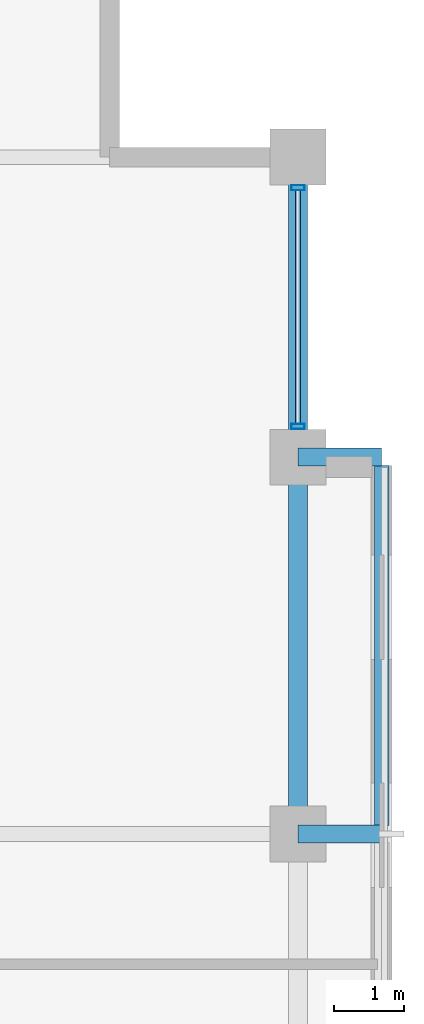
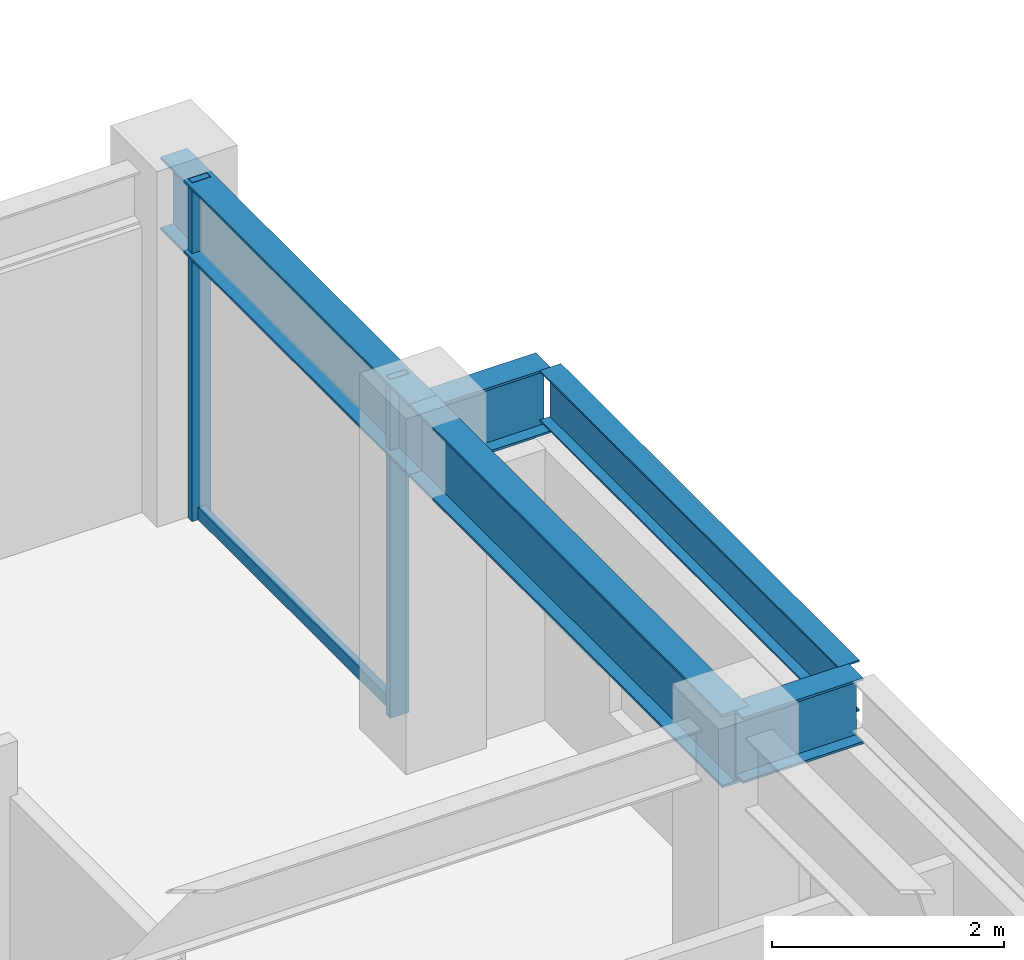
# One storey, part 24 of 32: 5 beams, 3 members, 1 element without a shape of its own.
"""IFC4 building model written with IfcOpenShell, lengths in metres."""

from ifc_helpers import new_model, si_unit, direction, frame, origin, origin_2d, place, context, subcontext, project, spatial, hollow_rectangle, i_section, extrude, material, layer, layer_set, material_profile, profile_set, type_object, element, aggregate, save


model = new_model("IFC4")

# Units and contexts
model_context = context("Model", 3, precision=1e-05, world=origin(), true_north=direction((0.0, 1.0)))
body_context = subcontext(model_context, "Body", "Model", "MODEL_VIEW")
ifc_project = project(units=[si_unit("LENGTHUNIT", "METRE"), si_unit("AREAUNIT", "SQUARE_METRE"), si_unit("VOLUMEUNIT", "CUBIC_METRE"), si_unit("PLANEANGLEUNIT", "RADIAN"), si_unit("MASSUNIT", "GRAM", prefix="KILO")], contexts=[model_context])

# Site, building, storey
site_placement = place(None, origin())
site = spatial("IfcSite", under=ifc_project, at=site_placement, CompositionType="ELEMENT")
building_placement = place(site_placement, origin())
building = spatial("IfcBuilding", under=site, at=building_placement, Name="Surkhivell Harbour Commons", CompositionType="ELEMENT")
storey_placement = place(building_placement, frame((0.0, 0.0, 234.75)))
storey = spatial("IfcBuildingStorey", under=building, at=storey_placement, Name="L61", CompositionType="ELEMENT", Elevation=234.75)

# Beams
ifc_material_1 = material(Name="Steel S460", Category="steel")
ifc_material_profile_1 = material_profile(ifc_material_1, i_section(OverallWidth=0.256103515625, OverallDepth=0.693115234375, WebThickness=0.014404296875, FlangeThickness=0.023681640625, at=origin_2d()), Name="UB686x254x170")
ifc_profile_set_1 = profile_set([ifc_material_profile_1], Name="Steel S460")
beam_type_1 = type_object("IfcBeamType", Name="BM-CNT-686", PredefinedType="BEAM", material=ifc_profile_set_1)
for number, where, z_axis, x_axis, name in (
    (1, (21.60009765625, 10.800048828125, 3.223388671875), (1.0, 0.0, 0.0), (0.0, 1.0, 0.0), "L61 Box Cantilever Outrigger (21.6,10.8)"),
    (2, (21.60009765625, 16.199951171875, 3.223388671875), (1.0, 0.0, 0.0), (0.0, 1.0, 0.0), "L61 Box Cantilever Outrigger (21.6,16.2)"),
):
    element("IfcBeam", number, at=place(storey_placement, frame(where, z_axis=z_axis, x_axis=x_axis)), inside=storey, type_object=beam_type_1, Name=name, PredefinedType="BEAM", context=body_context, shape_type="SweptSolid", body=[
        extrude(i_section(OverallWidth=0.256103515625, OverallDepth=0.693115234375, WebThickness=0.014404296875, FlangeThickness=0.023681640625, at=origin_2d()), origin(), (0.0, 0.0, 1.0), 1.199951171875),
    ])
ifc_material_2 = material(Name="Steel S355", Category="steel")
ifc_material_profile_2 = material_profile(ifc_material_2, i_section(OverallWidth=0.2099609375, OverallDepth=0.537109375, WebThickness=0.0107421875, FlangeThickness=0.017333984375, at=origin_2d()), Name="UB533x210x101")
ifc_profile_set_2 = profile_set([ifc_material_profile_2], Name="Steel S355")
beam_type_2 = type_object("IfcBeamType", Name="BM-GRD-533B", PredefinedType="BEAM", material=ifc_profile_set_2)
beam_1_placement = place(storey_placement, frame((22.800048828125, 10.922119140625, 3.301513671875), z_axis=(0.0, 1.0, 0.0), x_axis=(-1.0, 0.0, 0.0)))
element("IfcBeam", 3, at=beam_1_placement, inside=storey, type_object=beam_type_2, Name="L61 Box Rim Spandrel (22.8,10.8)", PredefinedType="BEAM", context=body_context, shape_type="SweptSolid", body=[
    extrude(i_section(OverallWidth=0.2099609375, OverallDepth=0.537109375, WebThickness=0.0107421875, FlangeThickness=0.017333984375, at=origin_2d()), origin(), (0.0, 0.0, 1.0), 5.15576171875),
])
ifc_material_profile_3 = material_profile(ifc_material_2, i_section(OverallWidth=0.26806640625, OverallDepth=0.77001953125, WebThickness=0.015625, FlangeThickness=0.025390625, at=origin_2d()), Name="UB762x267x197")
ifc_profile_set_3 = profile_set([ifc_material_profile_3], Name="Steel S355")
beam_type_3 = type_object("IfcBeamType", Name="BM-SPN-762", PredefinedType="SPANDREL", material=ifc_profile_set_3)
beam_2_placement = place(storey_placement, frame((21.60009765625, 10.800048828125, 3.18505859375), z_axis=(0.0, 1.0, 0.0), x_axis=(-1.0, 0.0, 0.0)))
element("IfcBeam", 4, at=beam_2_placement, inside=storey, type_object=beam_type_3, Name="L61 Tube Spandrel (21.6,10.8)", PredefinedType="SPANDREL", context=body_context, shape_type="SweptSolid", body=[
    extrude(i_section(OverallWidth=0.26806640625, OverallDepth=0.77001953125, WebThickness=0.015625, FlangeThickness=0.025390625, at=origin_2d()), origin(), (0.0, 0.0, 1.0), 5.39990234375),
])
beam_3_placement = place(storey_placement, frame((21.60009765625, 16.199951171875, 3.18505859375), z_axis=(0.0, 1.0, 0.0), x_axis=(-1.0, 0.0, 0.0)))
element("IfcBeam", 5, at=beam_3_placement, inside=storey, type_object=beam_type_3, Name="L61 Tube Spandrel (21.6,16.2)", PredefinedType="SPANDREL", context=body_context, shape_type="SweptSolid", body=[
    extrude(i_section(OverallWidth=0.26806640625, OverallDepth=0.77001953125, WebThickness=0.015625, FlangeThickness=0.025390625, at=origin_2d()), origin(), (0.0, 0.0, 1.0), 4.300048828125),
])

# Curtain wall, members
ifc_material_3 = material(Name="Anodised pale-metal aluminium and insulated glazing", Category="aluminium")
ifc_layer = layer(ifc_material_3, 0.18994140625)
ifc_layer_set = layer_set([ifc_layer], Name="Anodised pale-metal aluminium and insulated glazing")
curtain_wall_type = type_object("IfcCurtainWallType", Name="CW-SYS-Z3", PredefinedType="NOTDEFINED", material=ifc_layer_set)
curtain_wall_placement = place(storey_placement, origin())
curtain_wall = element("IfcCurtainWall", 6, at=curtain_wall_placement, inside=storey, type_object=curtain_wall_type, Name="L61 Curtain Wall CW-L61-E02R2", PredefinedType="NOTDEFINED")
ifc_material_4 = material(Name="Anodised pale-metal aluminium alloy 6063-T6", Category="aluminium")
ifc_material_profile_4 = material_profile(ifc_material_4, hollow_rectangle(XDim=0.074951171875, YDim=0.18994140625, WallThickness=0.00390625, at=origin_2d()), Name="ALU-MULL-75x190")
ifc_profile_set_4 = profile_set([ifc_material_profile_4], Name="Anodised pale-metal aluminium alloy 6063-T6")
member_type_1 = type_object("IfcMemberType", Name="CWM-190", PredefinedType="MULLION", material=ifc_profile_set_4)
member_1_placement = place(storey_placement, frame((21.60009765625, 16.639404296875, 0.0), z_axis=(0.0, 0.0, 1.0), x_axis=(0.0, 1.0, 0.0)))
member_1 = element("IfcMember", 7, at=member_1_placement, type_object=member_type_1, Name="CW-Z3 mullion 1", PredefinedType="MULLION", context=body_context, shape_type="SweptSolid", body=[
    extrude(hollow_rectangle(XDim=0.074951171875, YDim=0.18994140625, WallThickness=0.00390625, at=origin_2d()), origin(), (0.0, 0.0, 1.0), 3.570068359375),
])
member_2_placement = place(storey_placement, frame((21.60009765625, 20.060546875, 0.0), z_axis=(0.0, 0.0, 1.0), x_axis=(0.0, 1.0, 0.0)))
member_2 = element("IfcMember", 8, at=member_2_placement, type_object=member_type_1, Name="CW-Z3 mullion 2", PredefinedType="MULLION", context=body_context, shape_type="SweptSolid", body=[
    extrude(hollow_rectangle(XDim=0.074951171875, YDim=0.18994140625, WallThickness=0.00390625, at=origin_2d()), origin(), (0.0, 0.0, 1.0), 3.570068359375),
])
ifc_material_5 = material(Name="Champagne anodised aluminium alloy 6063-T6", Category="aluminium")
ifc_material_profile_5 = material_profile(ifc_material_5, hollow_rectangle(XDim=0.070068359375, YDim=0.1298828125, WallThickness=0.00341796875, at=origin_2d()), Name="ALU-TRAN-70x130")
ifc_profile_set_5 = profile_set([ifc_material_profile_5], Name="Champagne anodised aluminium alloy 6063-T6")
member_type_2 = type_object("IfcMemberType", Name="CWT-130", PredefinedType="USERDEFINED", material=ifc_profile_set_5)
member_3_placement = place(storey_placement, frame((21.60009765625, 16.677001953125, 0.06494140625), z_axis=(0.0, 1.0, 0.0), x_axis=(-1.0, 0.0, 0.0)))
member_3 = element("IfcMember", 9, at=member_3_placement, type_object=member_type_2, Name="CW-Z3 transom 1.1", ObjectType="TRANSOM", PredefinedType="USERDEFINED", context=body_context, shape_type="SweptSolid", body=[
    extrude(hollow_rectangle(XDim=0.070068359375, YDim=0.1298828125, WallThickness=0.00341796875, at=origin_2d()), origin(), (0.0, 0.0, 1.0), 3.345947265625),
])
aggregate(curtain_wall, [member_1, member_2, member_3])

save(model, "model.ifc")
